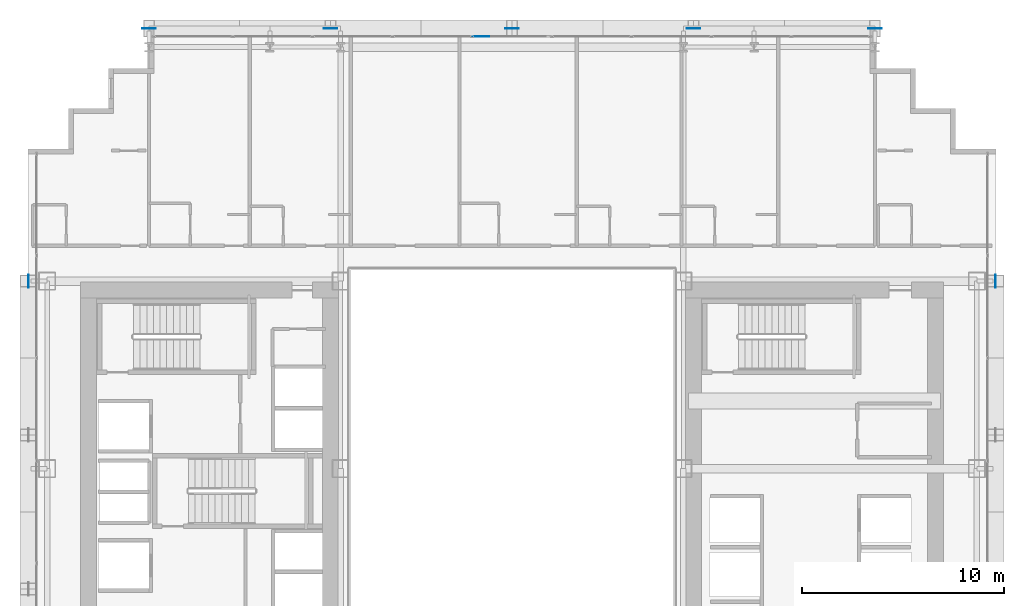
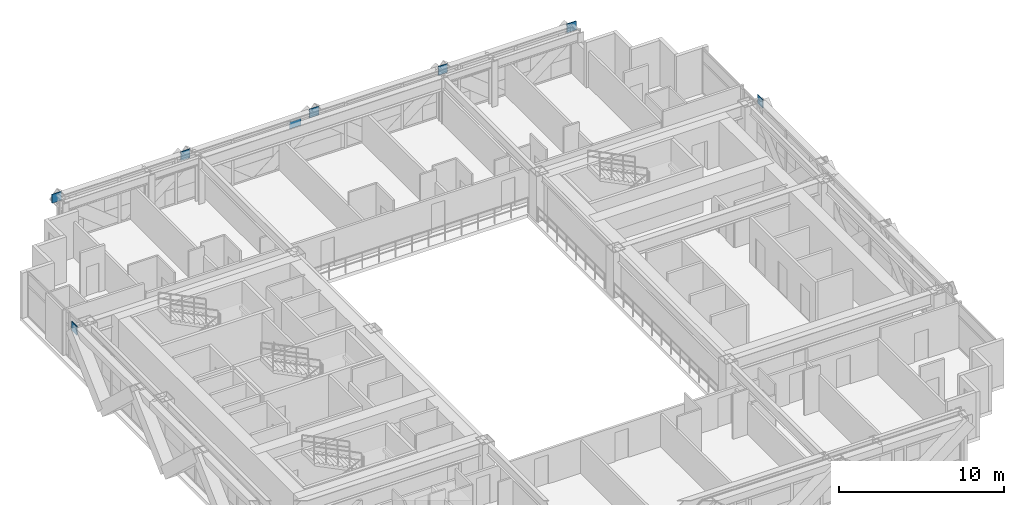
# One storey, part 29 of 38: 8 plates, 1 element without a shape of its own.
"""IFC4 building model written with IfcOpenShell, lengths in metres."""

from ifc_helpers import new_model, si_unit, direction, frame, origin, origin_2d, place, context, subcontext, project, spatial, rectangle, extrude, source, transform, mapped, material, layer, layer_set, type_object, element, aggregate, save


model = new_model("IFC4")

# Units and contexts
model_context = context("Model", 3, precision=1e-05, world=origin(), true_north=direction((0.0, 1.0)))
body_context = subcontext(model_context, "Body", "Model", "MODEL_VIEW")
ifc_project = project(units=[si_unit("LENGTHUNIT", "METRE"), si_unit("AREAUNIT", "SQUARE_METRE"), si_unit("VOLUMEUNIT", "CUBIC_METRE"), si_unit("PLANEANGLEUNIT", "RADIAN"), si_unit("MASSUNIT", "GRAM", prefix="KILO")], contexts=[model_context])

# Site, building, storey
site_placement = place(None, origin())
site = spatial("IfcSite", under=ifc_project, at=site_placement, CompositionType="ELEMENT")
building_placement = place(site_placement, origin())
building = spatial("IfcBuilding", under=site, at=building_placement, Name="Ocotamira Hotel", CompositionType="ELEMENT")
storey_placement = place(building_placement, frame((0.0, 0.0, 74.39990234375)))
storey = spatial("IfcBuildingStorey", under=building, at=storey_placement, Name="L18", CompositionType="ELEMENT", Elevation=74.39990234375)

# Plates
ifc_material_1 = material(Name="Pale-metal coated steel ASTM A572 Grade 50", Category="steel")
ifc_layer_1 = layer(ifc_material_1, 0.0400390625)
ifc_layer_set_1 = layer_set([ifc_layer_1], Name="Pale-metal coated steel ASTM A572 Grade 50")
plate_type_1 = type_object("IfcPlateType", Name="PLT-GUSSET-40", PredefinedType="SHEET", material=ifc_layer_set_1)
shared_shape_1 = source(origin(), body_context, "Body", "SweptSolid", [
    extrude(rectangle(XDim=0.64990234375, YDim=0.0400390625, at=origin_2d()), origin(), (0.0, 0.0, 1.0), 0.64990234375),
])
for number, where, z_axis, x_axis, name in (
    (1, (14.0, 49.969970703125, 2.775146484375), (0.0, 0.0, 1.0), (-1.0, 0.0, 0.0), "L18 Exoskeleton Diagrid N0.1 End Gusset B"),
    (2, (23.0, 49.969970703125, 2.775146484375), (0.0, 0.0, 1.0), (1.0, 0.0, 0.0), "L18 Exoskeleton Diagrid N0.2 End Gusset B"),
    (3, (32.0, 49.969970703125, 2.775146484375), (0.0, 0.0, 1.0), (1.0, 0.0, 0.0), "L18 Exoskeleton Diagrid N1.2 End Gusset B"),
    (4, (41.0, 49.969970703125, 2.775146484375), (0.0, 0.0, 1.0), (1.0, 0.0, 0.0), "L18 Exoskeleton Diagrid N2.2 End Gusset B"),
    (5, (50.0, 49.969970703125, 2.775146484375), (0.0, 0.0, 1.0), (1.0, 0.0, 0.0), "L18 Exoskeleton Diagrid N3.2 End Gusset B"),
):
    element("IfcPlate", number, at=place(storey_placement, frame(where, z_axis=z_axis, x_axis=x_axis)), inside=storey, type_object=plate_type_1, Name=name, PredefinedType="SHEET", context=body_context, shape_type="MappedRepresentation", body=[
        mapped(shared_shape_1, transform((0.0, 0.0, 0.0), scale=1.0)),
    ])
shared_shape_2 = source(origin(), body_context, "Body", "SweptSolid", [
    extrude(rectangle(XDim=0.0400390625, YDim=0.64990234375, at=origin_2d()), origin(), (0.0, 0.0, 1.0), 0.64990234375),
])
for number, where, z_axis, x_axis, name in (
    (6, (8.030029296875, 37.449951171875, 2.775146484375), (0.0, 0.0, 1.0), (1.0, 0.0, 0.0), "L18 Exoskeleton Diagrid W2.2 End Gusset B"),
    (7, (55.969970703125, 37.449951171875, 2.775146484375), (0.0, 0.0, 1.0), (1.0, 0.0, 0.0), "L18 Exoskeleton Diagrid E2.2 End Gusset B"),
):
    element("IfcPlate", number, at=place(storey_placement, frame(where, z_axis=z_axis, x_axis=x_axis)), inside=storey, type_object=plate_type_1, Name=name, PredefinedType="SHEET", context=body_context, shape_type="MappedRepresentation", body=[
        mapped(shared_shape_2, transform((0.0, 0.0, 0.0), scale=1.0)),
    ])

# Curtain wall, plate
ifc_material_2 = material(Name="Anodised pale-metal aluminium and solar glass", Category="aluminium")
ifc_layer_2 = layer(ifc_material_2, 0.179931640625)
ifc_layer_set_2 = layer_set([ifc_layer_2], Name="Anodised pale-metal aluminium and solar glass")
curtain_wall_type = type_object("IfcCurtainWallType", Name="CW-SYS2-Z1", PredefinedType="NOTDEFINED", material=ifc_layer_set_2)
curtain_wall_placement = place(storey_placement, origin())
curtain_wall = element("IfcCurtainWall", 8, at=curtain_wall_placement, inside=storey, type_object=curtain_wall_type, Name="L18 Curtain Wall CW-2 CW-L18-N", PredefinedType="NOTDEFINED")
ifc_material_3 = material(Name="Double-silver low-E insulated solar glass", Category="glass")
ifc_layer_3 = layer(ifc_material_3, 0.031982421875)
ifc_layer_set_3 = layer_set([ifc_layer_3], Name="Double-silver low-E insulated solar glass")
plate_type_2 = type_object("IfcPlateType", Name="CWP-VISION-32", PredefinedType="CURTAIN_PANEL", material=ifc_layer_set_3)
shared_shape_3 = source(origin(), body_context, "Body", "SweptSolid", [
    extrude(rectangle(XDim=0.797607421875, YDim=0.031982421875, at=origin_2d()), origin(), (0.0, 0.0, 1.0), 0.5107421875),
])
plate_placement = place(storey_placement, frame((30.461181640625, 49.580078125, 2.764404296875), z_axis=(0.0, 0.0, 1.0), x_axis=(1.0, 0.0, 0.0)))
plate = element("IfcPlate", 9, at=plate_placement, type_object=plate_type_2, Name="CW-2 panel 5.2.1", PredefinedType="CURTAIN_PANEL", context=body_context, shape_type="MappedRepresentation", body=[
    mapped(shared_shape_3, transform((0.0, 0.0, 0.0), scale=1.0)),
])
aggregate(curtain_wall, [plate])

save(model, "model.ifc")
